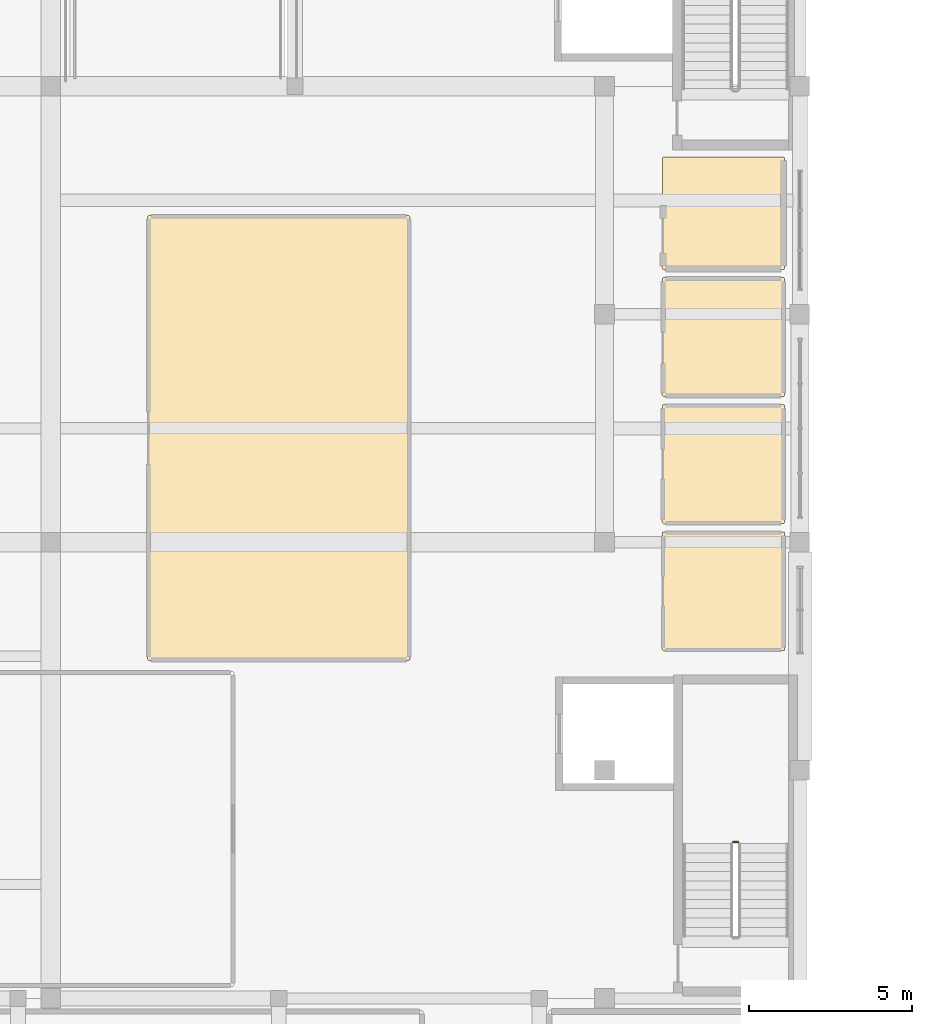
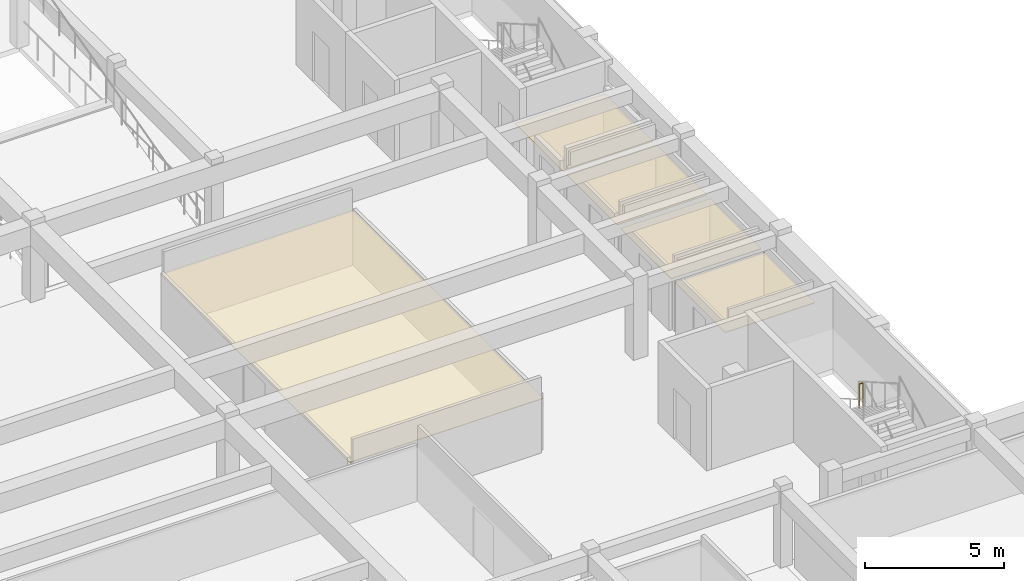
# One storey, part 29 of 33: 5 coverings, 1 railing.
"""IFC4 building model written with IfcOpenShell, lengths in metres."""

from ifc_helpers import new_model, si_unit, direction, frame, origin, origin_2d, place, context, subcontext, project, spatial, polyline, circle, outline, extrude, material, layer, layer_set, type_object, element, save


model = new_model("IFC4")

# Units and contexts
model_context = context("Model", 3, precision=1e-05, world=origin(), true_north=direction((0.0, 1.0)))
body_context = subcontext(model_context, "Body", "Model", "MODEL_VIEW")
ifc_project = project(units=[si_unit("LENGTHUNIT", "METRE"), si_unit("AREAUNIT", "SQUARE_METRE"), si_unit("VOLUMEUNIT", "CUBIC_METRE"), si_unit("PLANEANGLEUNIT", "RADIAN"), si_unit("MASSUNIT", "GRAM", prefix="KILO")], contexts=[model_context])

# Site, building, storey
site_placement = place(None, origin())
site = spatial("IfcSite", under=ifc_project, at=site_placement, CompositionType="ELEMENT")
building_placement = place(site_placement, origin())
building = spatial("IfcBuilding", under=site, at=building_placement, Name="Larkveld Mobility Hub", CompositionType="ELEMENT")
storey_placement = place(building_placement, frame((0.0, 0.0, 15.60009765625)))
storey = spatial("IfcBuildingStorey", under=building, at=storey_placement, Name="L04", CompositionType="ELEMENT", Elevation=15.60009765625)

# Coverings
ifc_material_1 = material(Name="Perforated mineral-fibre acoustic ceiling", Category="masonry")
ifc_layer_1 = layer(ifc_material_1, 0.02001953125, Name="Perforated mineral-fibre acoustic ceiling", Category="masonry")
ifc_layer_set_1 = layer_set([ifc_layer_1], Name="Perforated mineral-fibre acoustic ceiling")
covering_type_1 = type_object("IfcCoveringType", Name="CV-CLG-020", PredefinedType="CEILING", material=ifc_layer_set_1)
covering_1_placement = place(storey_placement, frame((0.0, 0.0, 2.329833984375)))
element("IfcCovering", 1, at=covering_1_placement, inside=storey, type_object=covering_type_1, Name="Male Public Toilet Acoustic Ceiling 044", PredefinedType="CEILING", context=body_context, shape_type="SweptSolid", body=[
    extrude(outline(polyline([(147.820068359375, 38.669921875), (147.81689453125, 38.669921875), (147.81396484375, 38.6708984375), (147.81103515625, 38.6708984375), (147.80908203125, 38.672119140625), (147.805908203125, 38.674072265625), (147.802978515625, 38.675048828125), (147.801025390625, 38.677001953125), (147.799072265625, 38.678955078125), (147.779052734375, 38.698974609375), (147.777099609375, 38.700927734375), (147.77490234375, 38.702880859375), (147.77392578125, 38.7060546875), (147.77197265625, 38.708984375), (147.77099609375, 38.7109375), (147.77099609375, 38.714111328125), (147.77001953125, 38.717041015625), (147.77001953125, 38.719970703125), (147.77587890625, 42.2939453125), (147.77587890625, 42.297119140625), (147.77587890625, 42.300048828125), (147.777099609375, 42.302978515625), (147.778076171875, 42.305908203125), (147.779052734375, 42.30810546875), (147.781005859375, 42.31103515625), (147.782958984375, 42.31298828125), (147.784912109375, 42.31494140625), (147.787109375, 42.31689453125), (147.7890625, 42.319091796875), (147.7919921875, 42.321044921875), (147.7939453125, 42.322021484375), (147.797119140625, 42.322998046875), (147.800048828125, 42.323974609375), (147.802978515625, 42.323974609375), (147.805908203125, 42.323974609375), (151.493896484375, 42.323974609375), (151.4970703125, 42.323974609375), (151.5, 42.323974609375), (151.5029296875, 42.322998046875), (151.506103515625, 42.322021484375), (151.508056640625, 42.321044921875), (151.510986328125, 42.319091796875), (151.512939453125, 42.31689453125), (151.514892578125, 42.31494140625), (151.51708984375, 42.31298828125), (151.51904296875, 42.31103515625), (151.52099609375, 42.30810546875), (151.52197265625, 42.305908203125), (151.52294921875, 42.302978515625), (151.52392578125, 42.300048828125), (151.52392578125, 42.297119140625), (151.52392578125, 42.2939453125), (151.52392578125, 38.7060546875), (151.52392578125, 38.702880859375), (151.52392578125, 38.699951171875), (151.52294921875, 38.697021484375), (151.52197265625, 38.694091796875), (151.52099609375, 38.69189453125), (151.51904296875, 38.68896484375), (151.51708984375, 38.68701171875), (151.514892578125, 38.68505859375), (151.512939453125, 38.68310546875), (151.510986328125, 38.680908203125), (151.508056640625, 38.678955078125), (151.506103515625, 38.677978515625), (151.5029296875, 38.677001953125), (151.5, 38.676025390625), (151.4970703125, 38.676025390625), (151.493896484375, 38.676025390625), (147.820068359375, 38.669921875)])), origin(), (0.0, 0.0, 1.0), 0.02001953125),
])
covering_2_placement = place(storey_placement, frame((0.0, 0.0, 2.329833984375)))
element("IfcCovering", 2, at=covering_2_placement, inside=storey, type_object=covering_type_1, Name="Accessible Unisex Toilet Acoustic Ceiling 046", PredefinedType="CEILING", context=body_context, shape_type="SweptSolid", body=[
    extrude(outline(polyline([(147.820068359375, 46.469970703125), (147.81689453125, 46.469970703125), (147.81396484375, 46.470947265625), (147.81103515625, 46.470947265625), (147.80908203125, 46.471923828125), (147.805908203125, 46.47412109375), (147.802978515625, 46.47509765625), (147.801025390625, 46.47705078125), (147.799072265625, 46.47900390625), (147.779052734375, 46.4990234375), (147.777099609375, 46.5009765625), (147.77490234375, 46.5029296875), (147.77392578125, 46.506103515625), (147.77197265625, 46.509033203125), (147.77099609375, 46.510986328125), (147.77099609375, 46.513916015625), (147.77001953125, 46.51708984375), (147.77001953125, 46.52001953125), (147.77587890625, 50.093994140625), (147.77587890625, 50.096923828125), (147.77587890625, 50.10009765625), (147.777099609375, 50.10302734375), (147.778076171875, 50.10595703125), (147.779052734375, 50.10791015625), (147.781005859375, 50.111083984375), (147.782958984375, 50.113037109375), (147.784912109375, 50.114990234375), (147.787109375, 50.116943359375), (147.7890625, 50.118896484375), (147.7919921875, 50.12109375), (147.7939453125, 50.1220703125), (147.797119140625, 50.123046875), (147.800048828125, 50.1240234375), (147.802978515625, 50.1240234375), (147.805908203125, 50.1240234375), (151.493896484375, 50.1240234375), (151.4970703125, 50.1240234375), (151.5, 50.1240234375), (151.5029296875, 50.123046875), (151.506103515625, 50.1220703125), (151.508056640625, 50.12109375), (151.510986328125, 50.118896484375), (151.512939453125, 50.116943359375), (151.514892578125, 50.114990234375), (151.51708984375, 50.113037109375), (151.51904296875, 50.111083984375), (151.52099609375, 50.10791015625), (151.52197265625, 50.10595703125), (151.52294921875, 50.10302734375), (151.52392578125, 50.10009765625), (151.52392578125, 50.096923828125), (151.52392578125, 50.093994140625), (151.52392578125, 46.506103515625), (151.52392578125, 46.5029296875), (151.52392578125, 46.5), (151.52294921875, 46.4970703125), (151.52197265625, 46.493896484375), (151.52099609375, 46.491943359375), (151.51904296875, 46.489013671875), (151.51708984375, 46.487060546875), (151.514892578125, 46.485107421875), (151.512939453125, 46.48291015625), (151.510986328125, 46.48095703125), (151.508056640625, 46.47900390625), (151.506103515625, 46.47802734375), (151.5029296875, 46.47705078125), (151.5, 46.47607421875), (151.4970703125, 46.47607421875), (151.493896484375, 46.47607421875), (147.820068359375, 46.469970703125)])), origin(), (0.0, 0.0, 1.0), 0.02001953125),
])
ifc_material_2 = material(Name="Moisture-resistant gypsum board ceiling", Category="masonry")
ifc_layer_2 = layer(ifc_material_2, 0.02490234375, Name="Moisture-resistant gypsum board ceiling", Category="masonry")
ifc_layer_set_2 = layer_set([ifc_layer_2], Name="Moisture-resistant gypsum board ceiling")
covering_type_2 = type_object("IfcCoveringType", Name="CV-CLG-025", PredefinedType="CEILING", material=ifc_layer_set_2)
covering_3_placement = place(storey_placement, frame((0.0, 0.0, 2.324951171875)))
element("IfcCovering", 3, at=covering_3_placement, inside=storey, type_object=covering_type_2, Name="Female Public Toilet Acoustic Ceiling 045", PredefinedType="CEILING", context=body_context, shape_type="SweptSolid", body=[
    extrude(outline(polyline([(147.820068359375, 42.570068359375), (147.81689453125, 42.570068359375), (147.81396484375, 42.571044921875), (147.81103515625, 42.571044921875), (147.80908203125, 42.572021484375), (147.805908203125, 42.573974609375), (147.802978515625, 42.574951171875), (147.801025390625, 42.576904296875), (147.799072265625, 42.5791015625), (147.779052734375, 42.59912109375), (147.777099609375, 42.60107421875), (147.77490234375, 42.60302734375), (147.77392578125, 42.60595703125), (147.77197265625, 42.60888671875), (147.77099609375, 42.611083984375), (147.77099609375, 42.614013671875), (147.77001953125, 42.616943359375), (147.77001953125, 42.6201171875), (147.77587890625, 46.194091796875), (147.77587890625, 46.197021484375), (147.77587890625, 46.199951171875), (147.777099609375, 46.202880859375), (147.778076171875, 46.2060546875), (147.779052734375, 46.2080078125), (147.781005859375, 46.2109375), (147.782958984375, 46.212890625), (147.784912109375, 46.215087890625), (147.787109375, 46.217041015625), (147.7890625, 46.218994140625), (147.7919921875, 46.220947265625), (147.7939453125, 46.221923828125), (147.797119140625, 46.222900390625), (147.800048828125, 46.22412109375), (147.802978515625, 46.22412109375), (147.805908203125, 46.22412109375), (151.493896484375, 46.22412109375), (151.4970703125, 46.22412109375), (151.5, 46.22412109375), (151.5029296875, 46.222900390625), (151.506103515625, 46.221923828125), (151.508056640625, 46.220947265625), (151.510986328125, 46.218994140625), (151.512939453125, 46.217041015625), (151.514892578125, 46.215087890625), (151.51708984375, 46.212890625), (151.51904296875, 46.2109375), (151.52099609375, 46.2080078125), (151.52197265625, 46.2060546875), (151.52294921875, 46.202880859375), (151.52392578125, 46.199951171875), (151.52392578125, 46.197021484375), (151.52392578125, 46.194091796875), (151.52392578125, 42.60595703125), (151.52392578125, 42.60302734375), (151.52392578125, 42.60009765625), (151.52294921875, 42.596923828125), (151.52197265625, 42.593994140625), (151.52099609375, 42.592041015625), (151.51904296875, 42.589111328125), (151.51708984375, 42.5869140625), (151.514892578125, 42.5849609375), (151.512939453125, 42.5830078125), (151.510986328125, 42.5810546875), (151.508056640625, 42.5791015625), (151.506103515625, 42.577880859375), (151.5029296875, 42.576904296875), (151.5, 42.575927734375), (151.4970703125, 42.575927734375), (151.493896484375, 42.575927734375), (147.820068359375, 42.570068359375)])), origin(), (0.0, 0.0, 1.0), 0.02490234375),
])
covering_4_placement = place(storey_placement, frame((0.0, 0.0, 2.324951171875)))
element("IfcCovering", 4, at=covering_4_placement, inside=storey, type_object=covering_type_2, Name="Cleaners Store Room Acoustic Ceiling 047", PredefinedType="CEILING", context=body_context, shape_type="SweptSolid", body=[
    extrude(outline(polyline([(147.820068359375, 50.3701171875), (147.81689453125, 50.3701171875), (147.81396484375, 50.37109375), (147.81103515625, 50.37109375), (147.80908203125, 50.3720703125), (147.805908203125, 50.3740234375), (147.802978515625, 50.375), (147.801025390625, 50.376953125), (147.799072265625, 50.37890625), (147.779052734375, 50.39892578125), (147.777099609375, 50.40087890625), (147.77490234375, 50.403076171875), (147.77392578125, 50.406005859375), (147.77197265625, 50.408935546875), (147.77099609375, 50.410888671875), (147.77099609375, 50.4140625), (147.77001953125, 50.4169921875), (147.77001953125, 50.419921875), (147.77587890625, 53.7939453125), (147.77587890625, 53.797119140625), (147.77587890625, 53.800048828125), (147.777099609375, 53.802978515625), (147.778076171875, 53.805908203125), (147.779052734375, 53.80810546875), (147.781005859375, 53.81103515625), (147.782958984375, 53.81298828125), (147.784912109375, 53.81494140625), (147.787109375, 53.81689453125), (147.7890625, 53.819091796875), (147.7919921875, 53.821044921875), (147.7939453125, 53.822021484375), (147.797119140625, 53.822998046875), (147.800048828125, 53.823974609375), (147.802978515625, 53.823974609375), (147.805908203125, 53.823974609375), (151.493896484375, 53.823974609375), (151.4970703125, 53.823974609375), (151.5, 53.823974609375), (151.5029296875, 53.822998046875), (151.506103515625, 53.822021484375), (151.508056640625, 53.821044921875), (151.510986328125, 53.819091796875), (151.512939453125, 53.81689453125), (151.514892578125, 53.81494140625), (151.51708984375, 53.81298828125), (151.51904296875, 53.81103515625), (151.52099609375, 53.80810546875), (151.52197265625, 53.805908203125), (151.52294921875, 53.802978515625), (151.52392578125, 53.800048828125), (151.52392578125, 53.797119140625), (151.52392578125, 53.7939453125), (151.52392578125, 50.406005859375), (151.52392578125, 50.403076171875), (151.52392578125, 50.39990234375), (151.52294921875, 50.39697265625), (151.52197265625, 50.39404296875), (151.52099609375, 50.39208984375), (151.51904296875, 50.388916015625), (151.51708984375, 50.386962890625), (151.514892578125, 50.385009765625), (151.512939453125, 50.383056640625), (151.510986328125, 50.381103515625), (151.508056640625, 50.37890625), (151.506103515625, 50.3779296875), (151.5029296875, 50.376953125), (151.5, 50.3759765625), (151.4970703125, 50.3759765625), (151.493896484375, 50.3759765625), (147.820068359375, 50.3701171875)])), origin(), (0.0, 0.0, 1.0), 0.02490234375),
])
covering_5_placement = place(storey_placement, frame((0.0, 0.0, 2.324951171875)))
element("IfcCovering", 5, at=covering_5_placement, inside=storey, type_object=covering_type_2, Name="Intermodal Stakeholder Briefing Room Acoustic Ceiling 049", PredefinedType="CEILING", context=body_context, shape_type="SweptSolid", body=[
    extrude(outline(polyline([(132.02001953125, 38.3701171875), (132.01708984375, 38.3701171875), (132.013916015625, 38.37109375), (132.010986328125, 38.37109375), (132.009033203125, 38.3720703125), (132.006103515625, 38.3740234375), (132.0029296875, 38.375), (132.0009765625, 38.376953125), (131.9990234375, 38.37890625), (131.97900390625, 38.39892578125), (131.97705078125, 38.40087890625), (131.97509765625, 38.403076171875), (131.97412109375, 38.406005859375), (131.971923828125, 38.408935546875), (131.970947265625, 38.410888671875), (131.970947265625, 38.4140625), (131.969970703125, 38.4169921875), (131.969970703125, 38.419921875), (131.971923828125, 51.989013671875), (131.972900390625, 51.992919921875), (131.972900390625, 51.99609375), (131.97412109375, 51.9990234375), (131.97509765625, 52.0009765625), (131.97607421875, 52.00390625), (131.97802734375, 52.007080078125), (131.97998046875, 52.009033203125), (131.98193359375, 52.010986328125), (131.98388671875, 52.012939453125), (131.987060546875, 52.014892578125), (132.0048828125, 52.02587890625), (132.007080078125, 52.027099609375), (132.009033203125, 52.028076171875), (132.011962890625, 52.029052734375), (132.014892578125, 52.030029296875), (132.01708984375, 52.030029296875), (132.02001953125, 52.030029296875), (139.989013671875, 52.028076171875), (139.992919921875, 52.027099609375), (139.99609375, 52.027099609375), (139.9990234375, 52.02587890625), (140.0009765625, 52.02490234375), (140.00390625, 52.02392578125), (140.007080078125, 52.02197265625), (140.009033203125, 52.02001953125), (140.010986328125, 52.01806640625), (140.012939453125, 52.01611328125), (140.014892578125, 52.012939453125), (140.02587890625, 51.9951171875), (140.027099609375, 51.992919921875), (140.028076171875, 51.990966796875), (140.029052734375, 51.988037109375), (140.030029296875, 51.985107421875), (140.030029296875, 51.98291015625), (140.030029296875, 51.97998046875), (140.028076171875, 38.410888671875), (140.027099609375, 38.406982421875), (140.027099609375, 38.404052734375), (140.02587890625, 38.40087890625), (140.02490234375, 38.39892578125), (140.02392578125, 38.39599609375), (140.02197265625, 38.39306640625), (140.02001953125, 38.39111328125), (140.01806640625, 38.388916015625), (140.01611328125, 38.386962890625), (140.012939453125, 38.385009765625), (139.9951171875, 38.3740234375), (139.992919921875, 38.373046875), (139.989990234375, 38.3720703125), (139.986083984375, 38.37109375), (139.98291015625, 38.3701171875), (139.97998046875, 38.3701171875), (132.02001953125, 38.3701171875)])), origin(), (0.0, 0.0, 1.0), 0.02490234375),
])

# Railing
ifc_material_3 = material(Name="Galvanized Steel S355JR balustrade", Category="steel")
railing_type = type_object("IfcRailingType", Name="RL-GRD-1100", PredefinedType="GUARDRAIL", material=ifc_material_3)
railing_placement = place(storey_placement, frame((150.10009765625, 32.800048828125, 1.7998046875)))
element("IfcRailing", 6, at=railing_placement, inside=storey, type_object=railing_type, Name="L04 ST1 stair guard 2", PredefinedType="GUARDRAIL", context=body_context, shape_type="SweptSolid", body=[
    extrude(circle(Radius=0.02392578125, at=origin_2d()), frame((0.0, 0.0, 1.076171875), z_axis=(-1.0, 0.0, 0.0), x_axis=(0.0, -1.0, 0.0)), (0.0, 0.0, 1.0), 0.150146484375),
    extrude(circle(Radius=0.02099609375, at=origin_2d()), origin(), (0.0, 0.0, 1.0), 1.052001953125),
    extrude(circle(Radius=0.02099609375, at=origin_2d()), frame((-0.150146484375, 0.0, 0.0)), (0.0, 0.0, 1.0), 1.052001953125),
])

save(model, "model.ifc")
